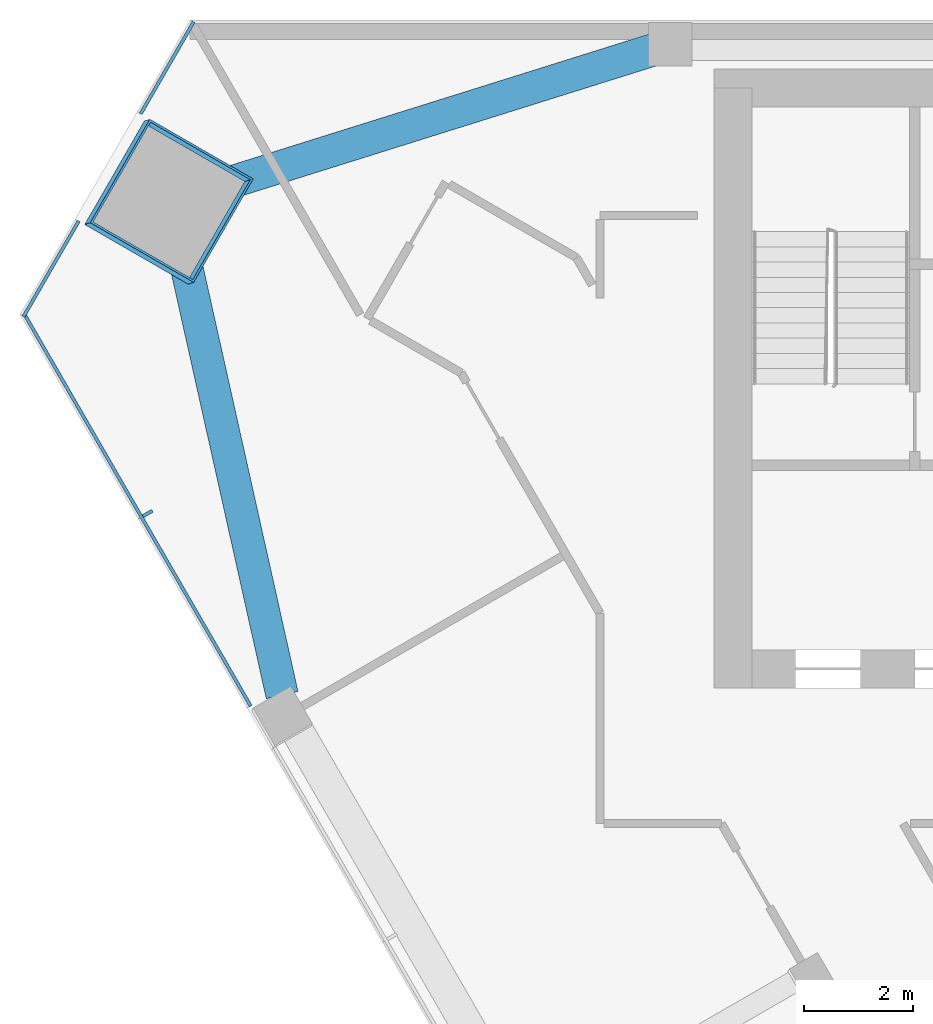
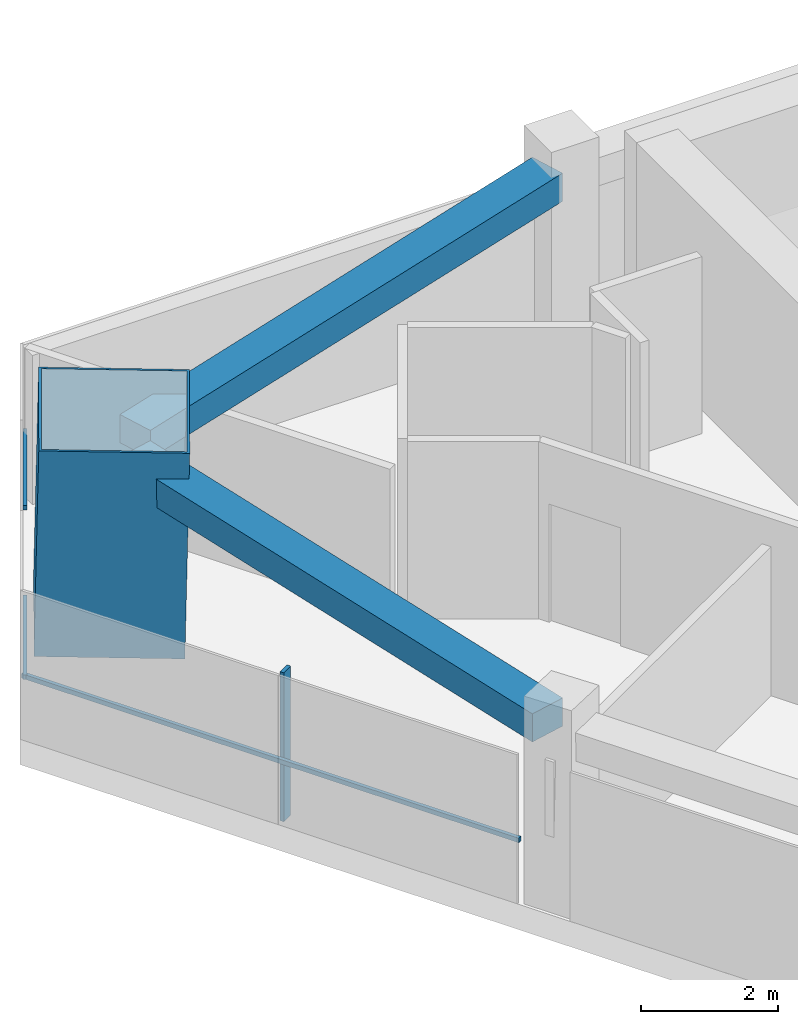
# One storey, part 5 of 13: 5 members, 2 beams, 2 elements without a shape of their own.
"""IFC4 building model written with IfcOpenShell, lengths in metres."""

from ifc_helpers import new_model, si_unit, direction, frame, origin, origin_2d, place, context, subcontext, project, spatial, rectangle, hollow_rectangle, extrude, material, layer, layer_set, material_profile, profile_set, type_object, element, aggregate, save


model = new_model("IFC4")

# Units and contexts
model_context = context("Model", 3, precision=1e-05, world=origin(), true_north=direction((0.0, 1.0)))
body_context = subcontext(model_context, "Body", "Model", "MODEL_VIEW")
ifc_project = project(units=[si_unit("LENGTHUNIT", "METRE"), si_unit("AREAUNIT", "SQUARE_METRE"), si_unit("VOLUMEUNIT", "CUBIC_METRE"), si_unit("PLANEANGLEUNIT", "RADIAN"), si_unit("MASSUNIT", "GRAM", prefix="KILO")], contexts=[model_context])

# Site, building, storey
site_placement = place(None, origin())
site = spatial("IfcSite", under=ifc_project, at=site_placement, CompositionType="ELEMENT")
building_placement = place(site_placement, origin())
building = spatial("IfcBuilding", under=site, at=building_placement, Name="Altiplano Prism Tower", CompositionType="ELEMENT")
storey_placement = place(building_placement, frame((0.0, 0.0, 201.60009765625)))
storey = spatial("IfcBuildingStorey", under=building, at=storey_placement, Name="L52", CompositionType="ELEMENT", Elevation=201.60009765625)

# Curtain wall, member
ifc_material_1 = material(Name="Aluminium and glass", Category="aluminium")
ifc_layer = layer(ifc_material_1, 0.303955078125)
ifc_layer_set = layer_set([ifc_layer], Name="Aluminium and glass")
curtain_wall_type = type_object("IfcCurtainWallType", Name="CW2 lounge-band unitised glazing", PredefinedType="NOTDEFINED", material=ifc_layer_set)
curtain_wall_1_placement = place(storey_placement, origin())
curtain_wall_1 = element("IfcCurtainWall", 1, at=curtain_wall_1_placement, inside=storey, type_object=curtain_wall_type, Name="CW2 curtain wall south-west face L52", PredefinedType="NOTDEFINED")
ifc_material_2 = material(Name="Aluminium", Category="aluminium")
ifc_material_profile_1 = material_profile(ifc_material_2, rectangle(XDim=0.199951171875, YDim=0.06005859375, at=origin_2d()), Name="CW2 mullion 60 x 200")
ifc_profile_set_1 = profile_set([ifc_material_profile_1], Name="Aluminium")
member_type_1 = type_object("IfcMemberType", Name="CW2 mullion 60 x 200", PredefinedType="MULLION", material=ifc_profile_set_1)
member_1_placement = place(storey_placement, frame((61.86962890625, 95.909912109375, 0.0), z_axis=(0.0, 0.0, 1.0), x_axis=(0.866025408017, 0.499999992669, 0.0)))
member_1 = element("IfcMember", 2, at=member_1_placement, type_object=member_type_1, Name="CW2 mullion", PredefinedType="MULLION", context=body_context, shape_type="SweptSolid", body=[
    extrude(rectangle(XDim=0.199951171875, YDim=0.06005859375, at=origin_2d()), origin(), (0.0, 0.0, 1.0), 2.64990234375),
])

# Curtain wall, members
curtain_wall_2_placement = place(storey_placement, origin())
curtain_wall_2 = element("IfcCurtainWall", 3, at=curtain_wall_2_placement, inside=storey, type_object=curtain_wall_type, Name="CW2 curtain wall north-west chamfer L52", PredefinedType="NOTDEFINED")
ifc_material_profile_2 = material_profile(ifc_material_2, rectangle(XDim=0.06005859375, YDim=0.080078125, at=origin_2d()), Name="CW2 transom 80 x 60")
ifc_profile_set_2 = profile_set([ifc_material_profile_2], Name="Aluminium")
member_type_2 = type_object("IfcMemberType", Name="CW2 transom 80 x 60", PredefinedType="USERDEFINED", material=ifc_profile_set_2)
member_2_placement = place(storey_placement, frame((62.717041015625, 104.962890625, 1.099853515625), z_axis=(-0.50005061519, -0.865996179119, 0.0), x_axis=(0.865996179119, -0.50005061519, 0.0)))
member_2 = element("IfcMember", 4, at=member_2_placement, type_object=member_type_2, Name="CW2 transom", ObjectType="TRANSOM", PredefinedType="USERDEFINED", context=body_context, shape_type="SweptSolid", body=[
    extrude(rectangle(XDim=0.06005859375, YDim=0.080078125, at=origin_2d()), origin(), (0.0, 0.0, 1.0), 1.953369140625),
])
member_3_placement = place(storey_placement, frame((60.600341796875, 101.296630859375, 1.099853515625), z_axis=(-0.500051550797, -0.865995638872, 0.0), x_axis=(0.865995638872, -0.500051550797, 0.0)))
member_3 = element("IfcMember", 5, at=member_3_placement, type_object=member_type_2, Name="CW2 transom", ObjectType="TRANSOM", PredefinedType="USERDEFINED", context=body_context, shape_type="SweptSolid", body=[
    extrude(rectangle(XDim=0.06005859375, YDim=0.080078125, at=origin_2d()), origin(), (0.0, 0.0, 1.0), 2.033447265625),
])
aggregate(curtain_wall_2, [member_2, member_3])

# Member
member_4_placement = place(storey_placement, frame((59.58349609375, 99.609619140625, 1.099853515625), z_axis=(0.500001954328, -0.866024275449, 0.0), x_axis=(0.866024275449, 0.500001954328, 0.0)))
member_4 = element("IfcMember", 6, at=member_4_placement, type_object=member_type_2, Name="CW2 transom", ObjectType="TRANSOM", PredefinedType="USERDEFINED", context=body_context, shape_type="SweptSolid", body=[
    extrude(rectangle(XDim=0.06005859375, YDim=0.080078125, at=origin_2d()), origin(), (0.0, 0.0, 1.0), 8.36767578125),
])

aggregate(curtain_wall_1, [member_1, member_4])

# Beams
ifc_material_3 = material(Name="Concrete C60/75", Category="concrete")
ifc_material_profile_3 = material_profile(ifc_material_3, rectangle(XDim=0.60009765625, YDim=0.5, at=origin_2d()), Name="Edge beam 600x500")
ifc_profile_set_3 = profile_set([ifc_material_profile_3], Name="Concrete C60/75")
beam_type = type_object("IfcBeamType", Name="Edge beam 600x500", PredefinedType="SPANDREL", material=ifc_profile_set_3)
beam_1_placement = place(storey_placement, frame((71.214599609375, 104.46044921875, 2.89990234375), z_axis=(-0.954188369255, -0.299206544009, 0.0), x_axis=(0.299206544009, -0.954188369255, 0.0)))
element("IfcBeam", 7, at=beam_1_placement, inside=storey, type_object=beam_type, Name="Edge beam P04-M0 L53", PredefinedType="SPANDREL", context=body_context, shape_type="SweptSolid", body=[
    extrude(rectangle(XDim=0.60009765625, YDim=0.5, at=origin_2d()), origin(), (0.0, 0.0, 1.0), 8.877685546875),
])
beam_2_placement = place(storey_placement, frame((62.412353515625, 101.23046875, 2.89990234375), z_axis=(0.217972783116, -0.975954848249, 0.0), x_axis=(0.975954848249, 0.217972783116, 0.0)))
element("IfcBeam", 8, at=beam_2_placement, inside=storey, type_object=beam_type, Name="Edge beam M0-P11 L53", PredefinedType="SPANDREL", context=body_context, shape_type="SweptSolid", body=[
    extrude(rectangle(XDim=0.60009765625, YDim=0.5, at=origin_2d()), origin(), (0.0, 0.0, 1.0), 8.87744140625),
])

# Member
ifc_material_4 = material(Name="Steel S460", Category="steel")
ifc_material_profile_4 = material_profile(ifc_material_4, hollow_rectangle(XDim=2.199951171875, YDim=2.199951171875, WallThickness=0.0400390625, at=origin_2d()), Name="Mega column tube 2200")
ifc_profile_set_4 = profile_set([ifc_material_profile_4], Name="Steel S460")
member_type_3 = type_object("IfcMemberType", Name="Mega column tube 2200", PredefinedType="POST", material=ifc_profile_set_4)
member_5_placement = place(storey_placement, frame((62.2119140625, 101.63623046875, 0.0), z_axis=(0.028403721265, 0.009287135593, 0.999553389135), x_axis=(-0.866197445503, 0.499302495794, 0.019975061902)))
element("IfcMember", 9, at=member_5_placement, inside=storey, type_object=member_type_3, Name="Mega column tube M0 L52", PredefinedType="POST", context=body_context, shape_type="SweptSolid", body=[
    extrude(hollow_rectangle(XDim=2.199951171875, YDim=2.199951171875, WallThickness=0.0400390625, at=origin_2d()), origin(), (0.0, 0.0, 1.0), 3.6015625),
])

save(model, "model.ifc")
